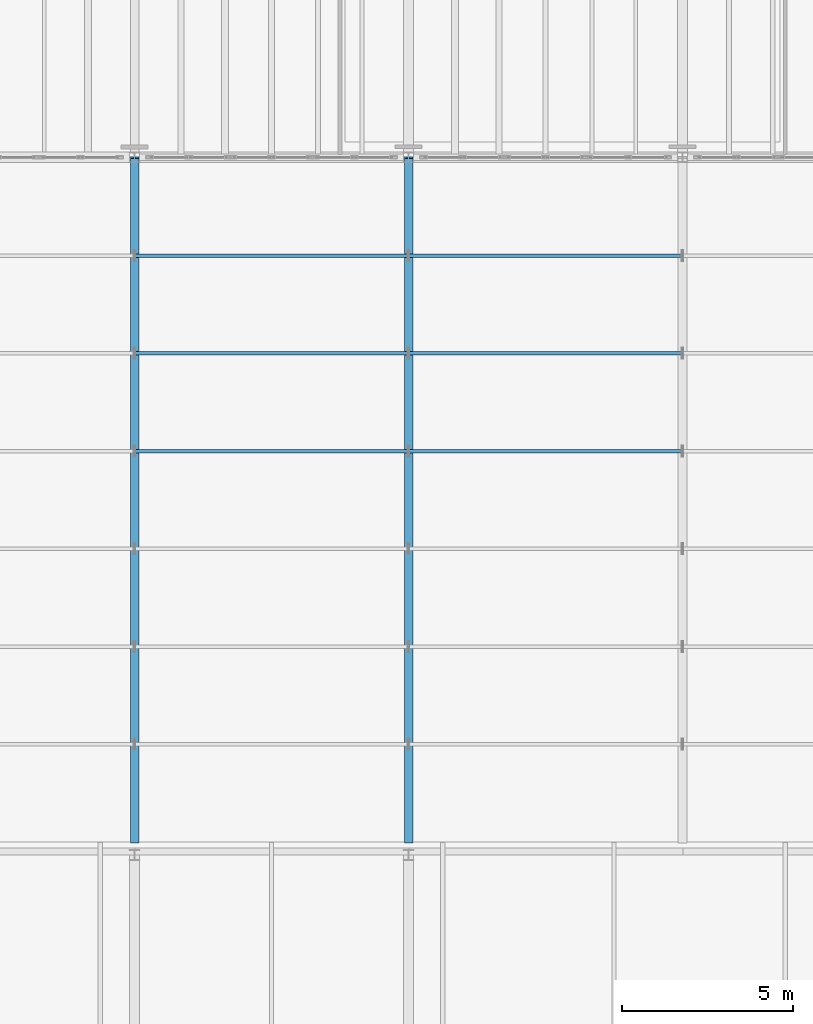
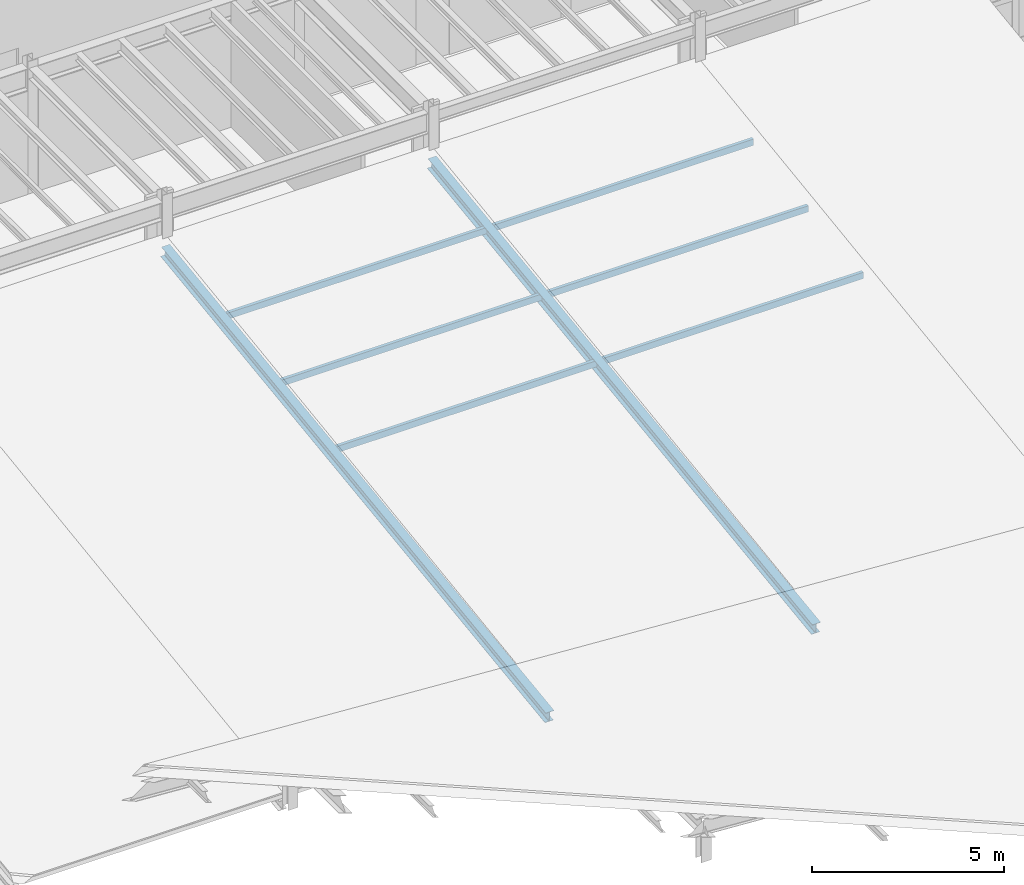
# One storey, part 10 of 77: 8 members.
"""IFC4 building model written with IfcOpenShell, lengths in metres."""

from ifc_helpers import new_model, si_unit, direction, frame, origin, origin_2d, place, context, subcontext, project, spatial, hollow_rectangle, i_section, extrude, material, material_profile, profile_set, type_object, element, save


model = new_model("IFC4")

# Units and contexts
model_context = context("Model", 3, precision=1e-05, world=origin(), true_north=direction((0.0, 1.0)))
body_context = subcontext(model_context, "Body", "Model", "MODEL_VIEW")
ifc_project = project(units=[si_unit("LENGTHUNIT", "METRE"), si_unit("AREAUNIT", "SQUARE_METRE"), si_unit("VOLUMEUNIT", "CUBIC_METRE"), si_unit("PLANEANGLEUNIT", "RADIAN"), si_unit("MASSUNIT", "GRAM", prefix="KILO"), si_unit("THERMODYNAMICTEMPERATUREUNIT", "KELVIN"), si_unit("POWERUNIT", "WATT")], contexts=[model_context])

# Site, building, storey
site_placement = place(None, origin())
site = spatial("IfcSite", under=ifc_project, at=site_placement, CompositionType="ELEMENT")
building_placement = place(site_placement, origin())
building = spatial("IfcBuilding", under=site, at=building_placement, Name="Zhenchuan Central Fire Station", CompositionType="ELEMENT")
storey_placement = place(building_placement, frame((0.0, 0.0, 10.050048828125)))
storey = spatial("IfcBuildingStorey", under=building, at=storey_placement, Name="L03", CompositionType="ELEMENT", Elevation=10.050048828125)

# Members
ifc_material = material(Name="Steel Q355B", Category="steel")
ifc_material_profile_1 = material_profile(ifc_material, hollow_rectangle(XDim=0.10009765625, YDim=0.199951171875, WallThickness=0.008056640625, at=origin_2d()), Name="RHS 200x100x8")
ifc_profile_set_1 = profile_set([ifc_material_profile_1], Name="Steel Q355B")
member_type_1 = type_object("IfcMemberType", Name="MB-PR-RHS200", PredefinedType="PURLIN", material=ifc_profile_set_1)
for number, where, z_axis, x_axis, name in (
    (1, (16.014892578125, 33.9169921875, 1.161376953125), (1.0, 0.0, 0.0), (0.0, 1.0, 0.0), "Workshop Sawtooth Purlin 3.4"),
    (2, (16.014892578125, 36.771484375, 1.544189453125), (1.0, 0.0, 0.0), (0.0, 1.0, 0.0), "Workshop Sawtooth Purlin 3.5"),
    (3, (16.014892578125, 39.625732421875, 1.927001953125), (1.0, 0.0, 0.0), (0.0, 1.0, 0.0), "Workshop Sawtooth Purlin 3.6"),
    (4, (24.014892578125, 33.9169921875, 1.161376953125), (1.0, 0.0, 0.0), (0.0, 1.0, 0.0), "Workshop Sawtooth Purlin 4.4"),
    (5, (24.014892578125, 36.771484375, 1.544189453125), (1.0, 0.0, 0.0), (0.0, 1.0, 0.0), "Workshop Sawtooth Purlin 4.5"),
    (6, (24.014892578125, 39.625732421875, 1.927001953125), (1.0, 0.0, 0.0), (0.0, 1.0, 0.0), "Workshop Sawtooth Purlin 4.6"),
):
    element("IfcMember", number, at=place(storey_placement, frame(where, z_axis=z_axis, x_axis=x_axis)), inside=storey, type_object=member_type_1, Name=name, PredefinedType="PURLIN", context=body_context, shape_type="SweptSolid", body=[
        extrude(hollow_rectangle(XDim=0.10009765625, YDim=0.199951171875, WallThickness=0.008056640625, at=origin_2d()), origin(), (0.0, 0.0, 1.0), 7.97021484375),
    ])
ifc_material_profile_2 = material_profile(ifc_material, i_section(OverallWidth=0.25, OverallDepth=0.340087890625, WebThickness=0.009033203125, FlangeThickness=0.013916015625, FilletRadius=0.01806640625, at=origin_2d()), Name="HM 340x250")
ifc_profile_set_2 = profile_set([ifc_material_profile_2], Name="Steel Q355B")
member_type_2 = type_object("IfcMemberType", Name="MB-RF-HM340", PredefinedType="RAFTER", material=ifc_profile_set_2)
for number, where, z_axis, x_axis, name in (
    (7, (16.0, 22.5, -0.35009765625), (0.0, 0.991124046415, 0.132940304718), (-1.0, 0.0, 0.0), "Workshop Sawtooth Rafter 2.2"),
    (8, (24.0, 22.5, -0.35009765625), (0.0, 0.991124046415, 0.132940304718), (-1.0, 0.0, 0.0), "Workshop Sawtooth Rafter 3.2"),
):
    element("IfcMember", number, at=place(storey_placement, frame(where, z_axis=z_axis, x_axis=x_axis)), inside=storey, type_object=member_type_2, Name=name, PredefinedType="RAFTER", context=body_context, shape_type="SweptSolid", body=[
        extrude(i_section(OverallWidth=0.25, OverallDepth=0.340087890625, WebThickness=0.009033203125, FlangeThickness=0.013916015625, FilletRadius=0.01806640625, at=origin_2d()), origin(), (0.0, 0.0, 1.0), 20.158935546875),
    ])

save(model, "model.ifc")
